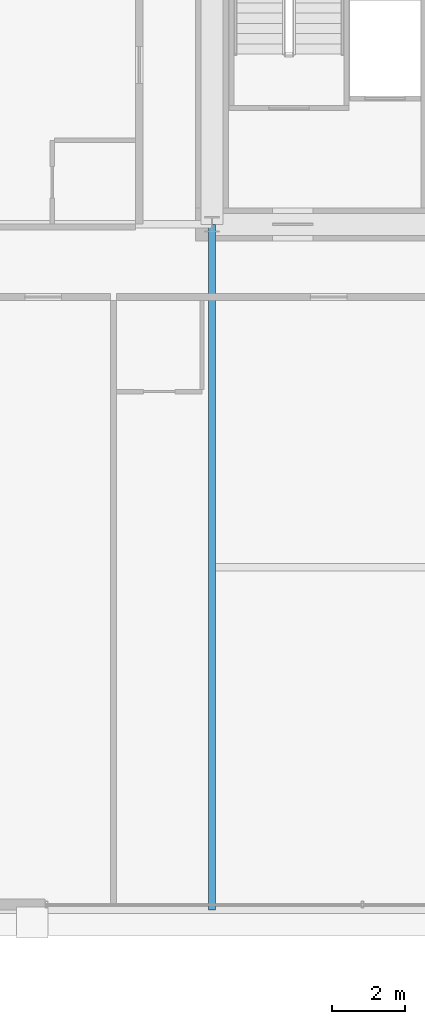
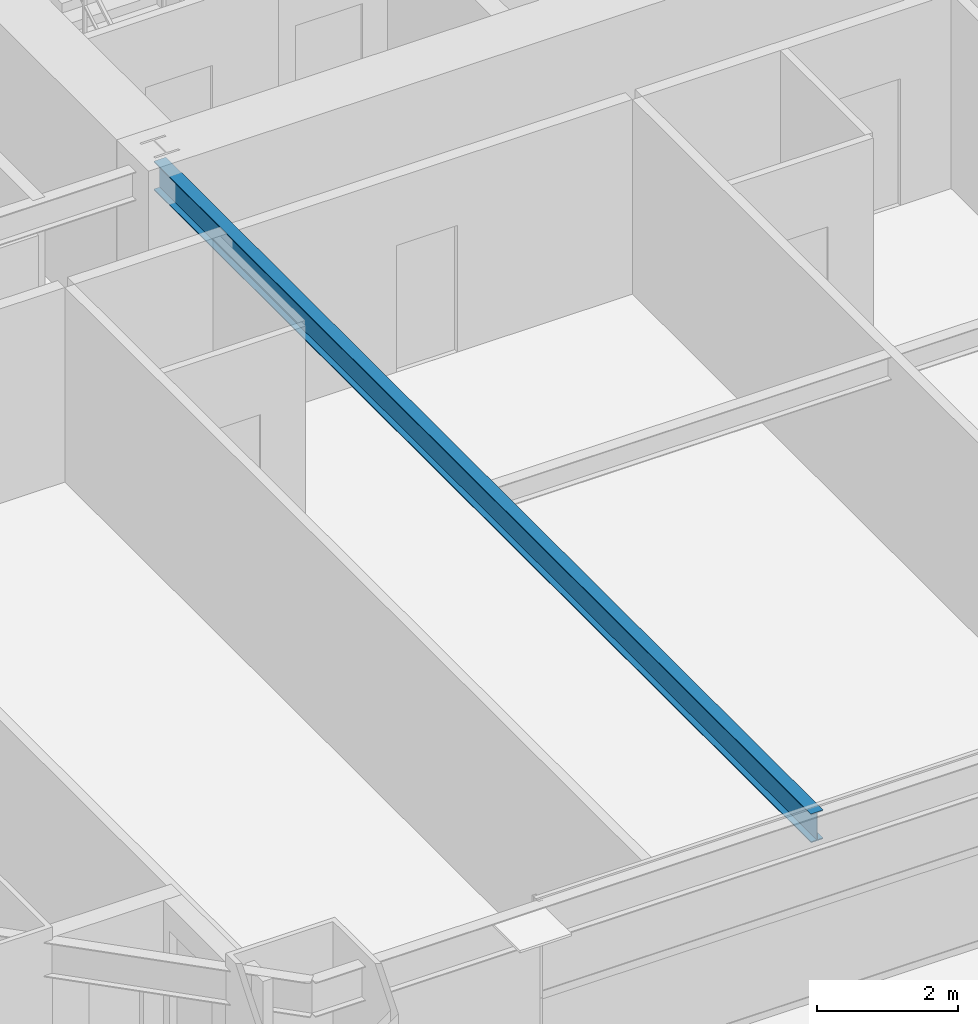
# One storey, part 8 of 46: 1 beam.
"""IFC4 building model written with IfcOpenShell, lengths in metres."""

from ifc_helpers import new_model, si_unit, direction, frame, origin, origin_2d, place, context, subcontext, project, spatial, i_section, extrude, source, transform, mapped, material, material_profile, profile_set, type_object, element, save


model = new_model("IFC4")

# Units and contexts
model_context = context("Model", 3, precision=1e-05, world=origin(), true_north=direction((0.0, 1.0)))
body_context = subcontext(model_context, "Body", "Model", "MODEL_VIEW")
ifc_project = project(units=[si_unit("LENGTHUNIT", "METRE"), si_unit("AREAUNIT", "SQUARE_METRE"), si_unit("VOLUMEUNIT", "CUBIC_METRE"), si_unit("PLANEANGLEUNIT", "RADIAN"), si_unit("MASSUNIT", "GRAM", prefix="KILO"), si_unit("THERMODYNAMICTEMPERATUREUNIT", "KELVIN"), si_unit("POWERUNIT", "WATT")], contexts=[model_context])

# Site, building, storey
site_placement = place(None, origin())
site = spatial("IfcSite", under=ifc_project, at=site_placement, CompositionType="ELEMENT")
building_placement = place(site_placement, origin())
building = spatial("IfcBuilding", under=site, at=building_placement, Name="Yuzanri Waterfront Tower", CompositionType="ELEMENT")
storey_placement = place(building_placement, frame((0.0, 0.0, 56.800048828125)))
storey = spatial("IfcBuildingStorey", under=building, at=storey_placement, Name="L14", CompositionType="ELEMENT", Elevation=56.800048828125)

# Beam
ifc_material = material(Name="Steel Q355B", Category="steel")
ifc_material_profile = material_profile(ifc_material, i_section(OverallWidth=0.199951171875, OverallDepth=0.5, WebThickness=0.010009765625, FlangeThickness=0.01611328125, at=origin_2d()), Name="HN 500x200x10x16")
ifc_profile_set = profile_set([ifc_material_profile], Name="Steel Q355B")
beam_type = type_object("IfcBeamType", Name="Secondary Floor Beam Q355B HN 500x200", PredefinedType="BEAM", material=ifc_profile_set)
shared_shape = source(origin(), body_context, "Body", "SweptSolid", [
    extrude(i_section(OverallWidth=0.199951171875, OverallDepth=0.5, WebThickness=0.010009765625, FlangeThickness=0.01611328125, at=origin_2d()), origin(), (0.0, 0.0, 1.0), 18.699951171875),
])
beam_placement = place(storey_placement, frame((23.800048828125, 19.39990234375, 3.1298828125), z_axis=(0.0, -1.0, 0.0), x_axis=(1.0, 0.0, 0.0)))
element("IfcBeam", 1, at=beam_placement, inside=storey, type_object=beam_type, Name="L14 South-West Core Line Beam", PredefinedType="BEAM", context=body_context, shape_type="MappedRepresentation", body=[
    mapped(shared_shape, transform((0.0, 0.0, 0.0), scale=1.0)),
])

save(model, "model.ifc")
